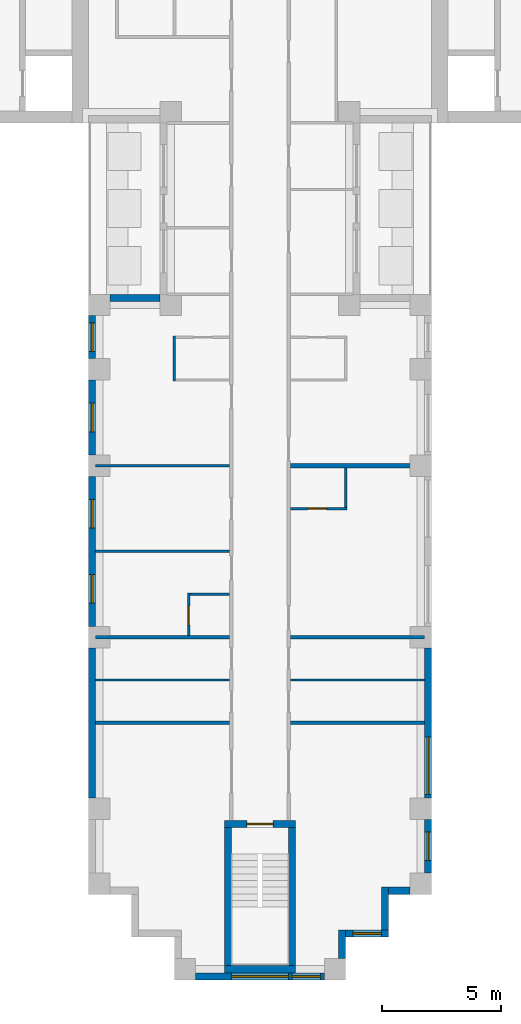
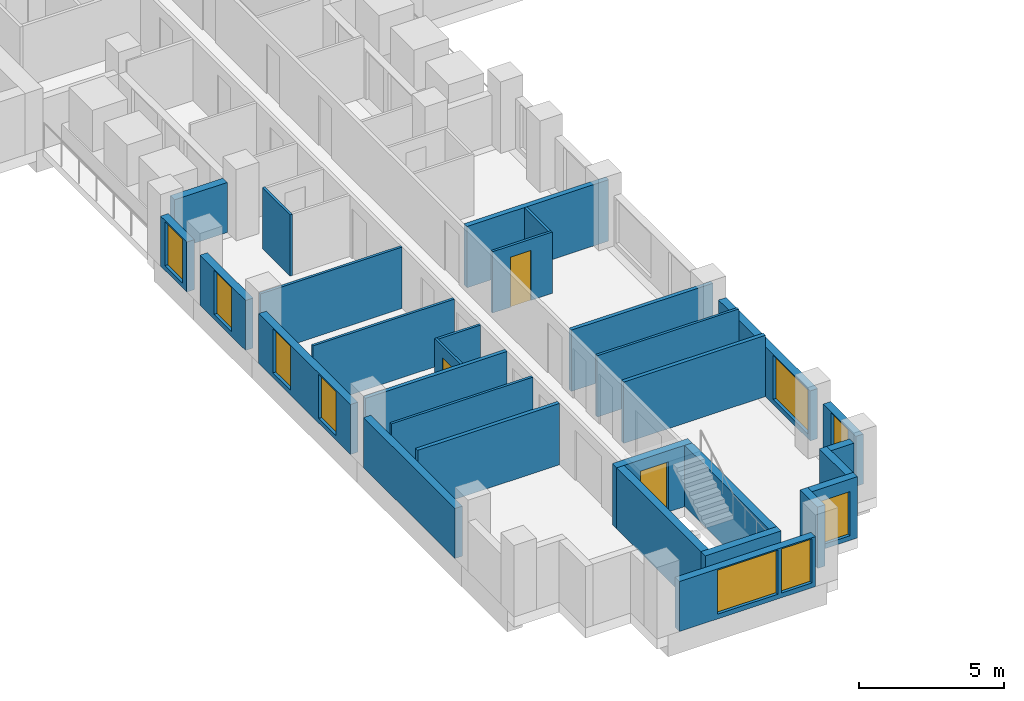
# One storey, part 3 of 15: 30 walls, 9 windows, 3 doors, 12 openings.
"""IFC4 building model written with IfcOpenShell, lengths in metres."""

from ifc_helpers import new_model, si_unit, direction, frame, frame_2d, origin, place, context, subcontext, project, spatial, rectangle, extrude, material, layer, layer_set, type_object, element, fill, save


model = new_model("IFC4")

# Units and contexts
model_context = context("Model", 3, precision=1e-05, world=origin(), true_north=direction((0.0, 1.0)))
body_context = subcontext(model_context, "Body", "Model", "MODEL_VIEW")
ifc_project = project(units=[si_unit("LENGTHUNIT", "METRE"), si_unit("AREAUNIT", "SQUARE_METRE"), si_unit("VOLUMEUNIT", "CUBIC_METRE"), si_unit("PLANEANGLEUNIT", "RADIAN"), si_unit("MASSUNIT", "GRAM", prefix="KILO")], contexts=[model_context])

# Site, building, storey
site_placement = place(None, origin())
site = spatial("IfcSite", under=ifc_project, at=site_placement, CompositionType="ELEMENT")
building_placement = place(site_placement, origin())
building = spatial("IfcBuilding", under=site, at=building_placement, Name="Fustian Cross Tower", CompositionType="ELEMENT")
storey_placement = place(building_placement, frame((0.0, 0.0, 38.699951171875)))
storey = spatial("IfcBuildingStorey", under=building, at=storey_placement, Name="L11", CompositionType="ELEMENT", Elevation=38.699951171875)

# Walls
ifc_material_1 = material(Name="Plasterboard on steel stud", Category="steel")
ifc_layer_1 = layer(ifc_material_1, 0.14990234375)
ifc_layer_set_1 = layer_set([ifc_layer_1], Name="Plasterboard on steel stud")
wall_type_1 = type_object("IfcWallType", Name="COMPARTMENT WALL 150 EI 60", PredefinedType="PARTITIONING", material=ifc_layer_set_1)
for number, where, z_axis, x_axis, name in (
    (1, (-6.89990234375, -32.39990234375, 0.0), (0.0, 0.0, 1.0), (1.0, 0.0, 0.0), "Partition 14"),
    (2, (-6.89990234375, -28.800048828125, 0.0), (0.0, 0.0, 1.0), (1.0, 0.0, 0.0), "Partition 16"),
    (3, (1.27490234375, -32.39990234375, 0.0), (0.0, 0.0, 1.0), (1.0, 0.0, 0.0), "Partition 41"),
    (4, (1.27490234375, -28.800048828125, 0.0), (0.0, 0.0, 1.0), (1.0, 0.0, 0.0), "Partition 43"),
):
    element("IfcWall", number, at=place(storey_placement, frame(where, z_axis=z_axis, x_axis=x_axis)), inside=storey, type_object=wall_type_1, Name=name, PredefinedType="PARTITIONING", context=body_context, shape_type="SweptSolid", body=[
        extrude(rectangle(XDim=5.625, YDim=0.14990234375, at=frame_2d((2.8125, 0.0))), origin(), (0.0, 0.0, 1.0), 2.574951171875),
    ])
ifc_material_2 = material(Name="Plasterboard on steel stud", Category="steel")
ifc_layer_2 = layer(ifc_material_2, 0.10009765625)
ifc_layer_set_2 = layer_set([ifc_layer_2], Name="Plasterboard on steel stud")
wall_type_2 = type_object("IfcWallType", Name="PARTITION 100 STUD", PredefinedType="PARTITIONING", material=ifc_layer_set_2)
for number, where, z_axis, x_axis, name in (
    (5, (-6.89990234375, -30.60009765625, 0.0), (0.0, 0.0, 1.0), (1.0, 0.0, 0.0), "Partition 15"),
    (6, (-6.89990234375, -25.199951171875, 0.0), (0.0, 0.0, 1.0), (1.0, 0.0, 0.0), "Partition 17"),
    (7, (-6.89990234375, -21.60009765625, 0.0), (0.0, 0.0, 1.0), (1.0, 0.0, 0.0), "Partition 18"),
):
    element("IfcWall", number, at=place(storey_placement, frame(where, z_axis=z_axis, x_axis=x_axis)), inside=storey, type_object=wall_type_2, Name=name, PredefinedType="PARTITIONING", context=body_context, shape_type="SweptSolid", body=[
        extrude(rectangle(XDim=5.625, YDim=0.10009765625, at=frame_2d((2.8125, 0.0))), origin(), (0.0, 0.0, 1.0), 2.574951171875),
    ])
wall_1_placement = place(storey_placement, frame((-3.60009765625, -18.050048828125, 0.0), z_axis=(0.0, 0.0, 1.0), x_axis=(0.0, 1.0, 0.0)))
element("IfcWall", 8, at=wall_1_placement, inside=storey, type_object=wall_type_2, Name="Partition 29", PredefinedType="PARTITIONING", context=body_context, shape_type="SweptSolid", body=[
    extrude(rectangle(XDim=1.900146484375, YDim=0.10009765625, at=frame_2d((0.9501953125, 0.0))), origin(), (0.0, 0.0, 1.0), 2.574951171875),
])

# Wall, opening, door
wall_2_placement = place(storey_placement, frame((-3.0, -28.72509765625, 0.0), z_axis=(0.0, 0.0, 1.0), x_axis=(0.0, 1.0, 0.0)))
wall_2 = element("IfcWall", 9, at=wall_2_placement, inside=storey, type_object=wall_type_2, Name="Partition 36", PredefinedType="PARTITIONING", context=body_context, shape_type="SweptSolid", body=[
    extrude(rectangle(XDim=1.775146484375, YDim=0.10009765625, at=frame_2d((0.8876953125, 0.0))), origin(), (0.0, 0.0, 1.0), 2.574951171875),
])
opening_1_placement = place(wall_2_placement, frame((0.425048828125, 0.0, 0.0)))
opening_1 = element("IfcOpeningElement", 10, at=opening_1_placement, cuts=wall_2, Name="Opening D07063", PredefinedType="OPENING", context=body_context, shape_type="SweptSolid", body=[
    extrude(rectangle(XDim=0.800048828125, YDim=2.10009765625, at=frame_2d((0.39990234375, 1.050048828125))), frame((0.0, 0.06005859375, 0.0), z_axis=(0.0, -1.0, 0.0), x_axis=(1.0, 0.0, 0.0)), (0.0, 0.0, 1.0), 0.1201171875),
])
ifc_material_3 = material(Name="Painted timber", Category="wood")
door_type_1 = type_object("IfcDoorType", Name="SWING DOOR 800", OperationType="SINGLE_SWING_LEFT", PredefinedType="DOOR", material=ifc_material_3)
door_1_placement = place(opening_1_placement, frame((0.800048828125, 0.0, 0.0), z_axis=(0.0, 0.0, 1.0), x_axis=(-1.0, 0.0, 0.0)))
door_1 = element("IfcDoor", 11, at=door_1_placement, inside=storey, type_object=door_type_1, Name="Door D07063", OperationType="SINGLE_SWING_LEFT", OverallHeight=2.10009765625, OverallWidth=0.800048828125, PredefinedType="DOOR", context=body_context, shape_type="SweptSolid", body=[
    extrude(rectangle(XDim=0.800048828125, YDim=2.10009765625, at=frame_2d((0.39990234375, 1.050048828125))), frame((0.0, 0.02490234375, 0.0), z_axis=(0.0, -1.0, 0.0), x_axis=(1.0, 0.0, 0.0)), (0.0, 0.0, 1.0), 0.050048828125),
])
fill(opening_1, door_1)

# Walls
wall_3_placement = place(storey_placement, frame((-2.949951171875, -27.0, 0.0), z_axis=(0.0, 0.0, 1.0), x_axis=(1.0, 0.0, 0.0)))
element("IfcWall", 12, at=wall_3_placement, inside=storey, type_object=wall_type_2, Name="Partition 37", PredefinedType="PARTITIONING", context=body_context, shape_type="SweptSolid", body=[
    extrude(rectangle(XDim=1.675048828125, YDim=0.10009765625, at=frame_2d((0.83740234375, 0.0))), origin(), (0.0, 0.0, 1.0), 2.574951171875),
])
wall_4_placement = place(storey_placement, frame((1.27490234375, -30.60009765625, 0.0), z_axis=(0.0, 0.0, 1.0), x_axis=(1.0, 0.0, 0.0)))
element("IfcWall", 13, at=wall_4_placement, inside=storey, type_object=wall_type_2, Name="Partition 42", PredefinedType="PARTITIONING", context=body_context, shape_type="SweptSolid", body=[
    extrude(rectangle(XDim=5.625, YDim=0.10009765625, at=frame_2d((2.8125, 0.0))), origin(), (0.0, 0.0, 1.0), 2.574951171875),
])

# Wall, opening, door
wall_5_placement = place(storey_placement, frame((1.27490234375, -23.39990234375, 0.0), z_axis=(0.0, 0.0, 1.0), x_axis=(1.0, 0.0, 0.0)))
wall_5 = element("IfcWall", 14, at=wall_5_placement, inside=storey, type_object=wall_type_2, Name="Partition 44", PredefinedType="PARTITIONING", context=body_context, shape_type="SweptSolid", body=[
    extrude(rectangle(XDim=2.375, YDim=0.10009765625, at=frame_2d((1.1875, 0.0))), origin(), (0.0, 0.0, 1.0), 2.574951171875),
])
opening_2_placement = place(wall_5_placement, frame((0.72509765625, 0.0, 0.0)))
opening_2 = element("IfcOpeningElement", 15, at=opening_2_placement, cuts=wall_5, Name="Opening D07053", PredefinedType="OPENING", context=body_context, shape_type="SweptSolid", body=[
    extrude(rectangle(XDim=0.800048828125, YDim=2.10009765625, at=frame_2d((0.39990234375, 1.050048828125))), frame((0.0, 0.06005859375, 0.0), z_axis=(0.0, -1.0, 0.0), x_axis=(1.0, 0.0, 0.0)), (0.0, 0.0, 1.0), 0.1201171875),
])
door_2_placement = place(opening_2_placement, origin())
door_2 = element("IfcDoor", 16, at=door_2_placement, inside=storey, type_object=door_type_1, Name="Door D07053", OperationType="SINGLE_SWING_LEFT", OverallHeight=2.10009765625, OverallWidth=0.800048828125, PredefinedType="DOOR", context=body_context, shape_type="SweptSolid", body=[
    extrude(rectangle(XDim=0.800048828125, YDim=2.10009765625, at=frame_2d((0.39990234375, 1.050048828125))), frame((0.0, 0.02490234375, 0.0), z_axis=(0.0, -1.0, 0.0), x_axis=(1.0, 0.0, 0.0)), (0.0, 0.0, 1.0), 0.050048828125),
])
fill(opening_2, door_2)

# Walls
wall_6_placement = place(storey_placement, frame((3.60009765625, -23.35009765625, 0.0), z_axis=(0.0, 0.0, 1.0), x_axis=(0.0, 1.0, 0.0)))
element("IfcWall", 17, at=wall_6_placement, inside=storey, type_object=wall_type_2, Name="Partition 71", PredefinedType="PARTITIONING", context=body_context, shape_type="SweptSolid", body=[
    extrude(rectangle(XDim=1.650146484375, YDim=0.10009765625, at=frame_2d((0.8251953125, 0.0))), origin(), (0.0, 0.0, 1.0), 2.574951171875),
])
ifc_material_4 = material(Name="Plasterboard on steel stud", Category="steel")
ifc_layer_3 = layer(ifc_material_4, 0.199951171875)
ifc_layer_set_3 = layer_set([ifc_layer_3], Name="Plasterboard on steel stud")
wall_type_3 = type_object("IfcWallType", Name="PARTY WALL 200 EI 60", PredefinedType="PARTITIONING", material=ifc_layer_set_3)
wall_7_placement = place(storey_placement, frame((1.27490234375, -21.60009765625, 0.0), z_axis=(0.0, 0.0, 1.0), x_axis=(1.0, 0.0, 0.0)))
element("IfcWall", 18, at=wall_7_placement, inside=storey, type_object=wall_type_3, Name="Partition 45", PredefinedType="PARTITIONING", context=body_context, shape_type="SweptSolid", body=[
    extrude(rectangle(XDim=5.625, YDim=0.199951171875, at=frame_2d((2.8125, 0.0))), origin(), (0.0, 0.0, 1.0), 2.574951171875),
])

# Wall, opening, door
ifc_material_5 = material(Name="Concrete C50/60", Category="concrete")
ifc_layer_4 = layer(ifc_material_5, 0.300048828125)
ifc_layer_set_4 = layer_set([ifc_layer_4], Name="Concrete C50/60")
wall_type_4 = type_object("IfcWallType", Name="STAIR ENCLOSURE WALL 300 C50/60", PredefinedType="SHEAR", material=ifc_layer_set_4)
wall_8_placement = place(storey_placement, frame((-1.5, -36.64990234375, 0.0), z_axis=(0.0, 0.0, 1.0), x_axis=(1.0, 0.0, 0.0)))
wall_8 = element("IfcWall", 19, at=wall_8_placement, inside=storey, type_object=wall_type_4, Name="Stair enclosure wall", PredefinedType="SHEAR", context=body_context, shape_type="SweptSolid", body=[
    extrude(rectangle(XDim=3.0, YDim=0.300048828125, at=frame_2d((1.5, 0.0))), origin(), (0.0, 0.0, 1.0), 2.574951171875),
])
opening_3_placement = place(wall_8_placement, frame((0.949951171875, 0.0, 0.0)))
opening_3 = element("IfcOpeningElement", 20, at=opening_3_placement, cuts=wall_8, Name="Opening CD-04-30", PredefinedType="OPENING", context=body_context, shape_type="SweptSolid", body=[
    extrude(rectangle(XDim=1.10009765625, YDim=2.10009765625, at=frame_2d((0.550048828125, 1.050048828125))), frame((0.0, 0.159912109375, 0.0), z_axis=(0.0, -1.0, 0.0), x_axis=(1.0, 0.0, 0.0)), (0.0, 0.0, 1.0), 0.320068359375),
])
ifc_material_6 = material(Name="Steel", Category="steel")
door_type_2 = type_object("IfcDoorType", Name="FIRE DOOR FD60S 1100X2100", OperationType="SINGLE_SWING_LEFT", PredefinedType="DOOR", material=ifc_material_6)
door_3_placement = place(opening_3_placement, frame((1.10009765625, 0.0, 0.0), z_axis=(0.0, 0.0, 1.0), x_axis=(-1.0, 0.0, 0.0)))
door_3 = element("IfcDoor", 21, at=door_3_placement, inside=storey, type_object=door_type_2, Name="Core door CD-04-30", OperationType="SINGLE_SWING_RIGHT", OverallHeight=2.10009765625, OverallWidth=1.10009765625, PredefinedType="DOOR", context=body_context, shape_type="SweptSolid", body=[
    extrude(rectangle(XDim=1.10009765625, YDim=2.10009765625, at=frame_2d((0.550048828125, 1.050048828125))), frame((0.0, 0.02490234375, 0.0), z_axis=(0.0, -1.0, 0.0), x_axis=(1.0, 0.0, 0.0)), (0.0, 0.0, 1.0), 0.050048828125),
])
fill(opening_3, door_3)

# Walls
wall_9_placement = place(storey_placement, frame((-1.5, -42.75, 0.0), z_axis=(0.0, 0.0, 1.0), x_axis=(1.0, 0.0, 0.0)))
element("IfcWall", 22, at=wall_9_placement, inside=storey, type_object=wall_type_4, Name="Stair enclosure wall", PredefinedType="SHEAR", context=body_context, shape_type="SweptSolid", body=[
    extrude(rectangle(XDim=3.0, YDim=0.300048828125, at=frame_2d((1.5, 0.0))), origin(), (0.0, 0.0, 1.0), 2.574951171875),
])
for number, where, z_axis, x_axis, name in (
    (23, (-1.35009765625, -36.800048828125, 0.0), (0.0, 0.0, 1.0), (0.0, -1.0, 0.0), "Stair enclosure wall"),
    (24, (1.35009765625, -36.800048828125, 0.0), (0.0, 0.0, 1.0), (0.0, -1.0, 0.0), "Stair enclosure wall"),
):
    element("IfcWall", number, at=place(storey_placement, frame(where, z_axis=z_axis, x_axis=x_axis)), inside=storey, type_object=wall_type_4, Name=name, PredefinedType="SHEAR", context=body_context, shape_type="SweptSolid", body=[
        extrude(rectangle(XDim=5.800048828125, YDim=0.300048828125, at=frame_2d((2.89990234375, 0.0))), origin(), (0.0, 0.0, 1.0), 2.574951171875),
    ])
ifc_material_7 = material(Name="Dark aluminium cladding on insulated backing wall", Category="aluminium")
ifc_layer_5 = layer(ifc_material_7, 0.300048828125)
ifc_layer_set_5 = layer_set([ifc_layer_5], Name="Dark aluminium cladding on insulated backing wall")
wall_type_5 = type_object("IfcWallType", Name="XW1 EXTERNAL WALL 300", PredefinedType="SOLIDWALL", material=ifc_layer_set_5)
wall_10_placement = place(storey_placement, frame((-4.199951171875, -14.550048828125, 0.0), z_axis=(0.0, 0.0, 1.0), x_axis=(-1.0, 0.0, 0.0)))
element("IfcWall", 25, at=wall_10_placement, inside=storey, type_object=wall_type_5, Name="External wall", PredefinedType="SOLIDWALL", context=body_context, shape_type="SweptSolid", body=[
    extrude(rectangle(XDim=2.10009765625, YDim=0.300048828125, at=frame_2d((1.050048828125, 0.0))), origin(), (0.0, 0.0, 1.0), 2.10009765625),
])

# Wall, opening, window
wall_11_placement = place(storey_placement, frame((-7.050048828125, -15.300048828125, 0.0), z_axis=(0.0, 0.0, 1.0), x_axis=(0.0, -1.0, 0.0)))
wall_11 = element("IfcWall", 26, at=wall_11_placement, inside=storey, type_object=wall_type_5, Name="External wall", PredefinedType="SOLIDWALL", context=body_context, shape_type="SweptSolid", body=[
    extrude(rectangle(XDim=1.800048828125, YDim=0.300048828125, at=frame_2d((0.89990234375, 0.0))), origin(), (0.0, 0.0, 1.0), 2.10009765625),
])
opening_4_placement = place(wall_11_placement, frame((0.300048828125, 0.0, 0.199951171875)))
opening_4 = element("IfcOpeningElement", 27, at=opening_4_placement, cuts=wall_11, Name="Opening WN3", PredefinedType="OPENING", context=body_context, shape_type="SweptSolid", body=[
    extrude(rectangle(XDim=1.199951171875, YDim=1.85009765625, at=frame_2d((0.60009765625, 0.925048828125))), frame((0.0, 0.159912109375, 0.0), z_axis=(0.0, -1.0, 0.0), x_axis=(1.0, 0.0, 0.0)), (0.0, 0.0, 1.0), 0.320068359375),
])
ifc_material_8 = material(Name="Dark anodised aluminium and double glazing", Category="aluminium")
window_type_1 = type_object("IfcWindowType", Name="WN3 WINDOW 1200X1850", PartitioningType="SINGLE_PANEL", PredefinedType="WINDOW", material=ifc_material_8)
window_1_placement = place(opening_4_placement, origin())
window_1 = element("IfcWindow", 28, at=window_1_placement, inside=storey, type_object=window_type_1, Name="Window", OverallHeight=1.85009765625, OverallWidth=1.199951171875, PartitioningType="SINGLE_PANEL", PredefinedType="WINDOW", context=body_context, shape_type="SweptSolid", body=[
    extrude(rectangle(XDim=1.199951171875, YDim=1.85009765625, at=frame_2d((0.60009765625, 0.925048828125))), frame((0.0, 0.030029296875, 0.0), z_axis=(0.0, -1.0, 0.0), x_axis=(1.0, 0.0, 0.0)), (0.0, 0.0, 1.0), 0.06005859375),
])
fill(opening_4, window_1)

wall_12_placement = place(storey_placement, frame((-7.050048828125, -18.0, 0.0), z_axis=(0.0, 0.0, 1.0), x_axis=(0.0, -1.0, 0.0)))
wall_12 = element("IfcWall", 29, at=wall_12_placement, inside=storey, type_object=wall_type_5, Name="External wall", PredefinedType="SOLIDWALL", context=body_context, shape_type="SweptSolid", body=[
    extrude(rectangle(XDim=3.14990234375, YDim=0.300048828125, at=frame_2d((1.574951171875, 0.0))), origin(), (0.0, 0.0, 1.0), 2.10009765625),
])
opening_5_placement = place(wall_12_placement, frame((0.97509765625, 0.0, 0.199951171875)))
opening_5 = element("IfcOpeningElement", 30, at=opening_5_placement, cuts=wall_12, Name="Opening WN3", PredefinedType="OPENING", context=body_context, shape_type="SweptSolid", body=[
    extrude(rectangle(XDim=1.199951171875, YDim=1.85009765625, at=frame_2d((0.60009765625, 0.925048828125))), frame((0.0, 0.159912109375, 0.0), z_axis=(0.0, -1.0, 0.0), x_axis=(1.0, 0.0, 0.0)), (0.0, 0.0, 1.0), 0.320068359375),
])
window_2_placement = place(opening_5_placement, origin())
window_2 = element("IfcWindow", 31, at=window_2_placement, inside=storey, type_object=window_type_1, Name="Window", OverallHeight=1.85009765625, OverallWidth=1.199951171875, PartitioningType="SINGLE_PANEL", PredefinedType="WINDOW", context=body_context, shape_type="SweptSolid", body=[
    extrude(rectangle(XDim=1.199951171875, YDim=1.85009765625, at=frame_2d((0.60009765625, 0.925048828125))), frame((0.0, 0.030029296875, 0.0), z_axis=(0.0, -1.0, 0.0), x_axis=(1.0, 0.0, 0.0)), (0.0, 0.0, 1.0), 0.06005859375),
])
fill(opening_5, window_2)

# Wall, openings, windows
wall_13_placement = place(storey_placement, frame((-7.050048828125, -22.050048828125, 0.0), z_axis=(0.0, 0.0, 1.0), x_axis=(0.0, -1.0, 0.0)))
wall_13 = element("IfcWall", 32, at=wall_13_placement, inside=storey, type_object=wall_type_5, Name="External wall", PredefinedType="SOLIDWALL", context=body_context, shape_type="SweptSolid", body=[
    extrude(rectangle(XDim=6.300048828125, YDim=0.300048828125, at=frame_2d((3.14990234375, 0.0))), origin(), (0.0, 0.0, 1.0), 2.10009765625),
])
opening_6_placement = place(wall_13_placement, frame((0.97509765625, 0.0, 0.199951171875)))
opening_6 = element("IfcOpeningElement", 33, at=opening_6_placement, cuts=wall_13, Name="Opening WN3", PredefinedType="OPENING", context=body_context, shape_type="SweptSolid", body=[
    extrude(rectangle(XDim=1.199951171875, YDim=1.85009765625, at=frame_2d((0.60009765625, 0.925048828125))), frame((0.0, 0.159912109375, 0.0), z_axis=(0.0, -1.0, 0.0), x_axis=(1.0, 0.0, 0.0)), (0.0, 0.0, 1.0), 0.320068359375),
])
opening_7_placement = place(wall_13_placement, frame((4.125, 0.0, 0.199951171875)))
opening_7 = element("IfcOpeningElement", 34, at=opening_7_placement, cuts=wall_13, Name="Opening WN3", PredefinedType="OPENING", context=body_context, shape_type="SweptSolid", body=[
    extrude(rectangle(XDim=1.199951171875, YDim=1.85009765625, at=frame_2d((0.60009765625, 0.925048828125))), frame((0.0, 0.159912109375, 0.0), z_axis=(0.0, -1.0, 0.0), x_axis=(1.0, 0.0, 0.0)), (0.0, 0.0, 1.0), 0.320068359375),
])
window_3_placement = place(opening_6_placement, origin())
window_3 = element("IfcWindow", 35, at=window_3_placement, inside=storey, type_object=window_type_1, Name="Window", OverallHeight=1.85009765625, OverallWidth=1.199951171875, PartitioningType="SINGLE_PANEL", PredefinedType="WINDOW", context=body_context, shape_type="SweptSolid", body=[
    extrude(rectangle(XDim=1.199951171875, YDim=1.85009765625, at=frame_2d((0.60009765625, 0.925048828125))), frame((0.0, 0.030029296875, 0.0), z_axis=(0.0, -1.0, 0.0), x_axis=(1.0, 0.0, 0.0)), (0.0, 0.0, 1.0), 0.06005859375),
])
fill(opening_6, window_3)
window_4_placement = place(opening_7_placement, origin())
window_4 = element("IfcWindow", 36, at=window_4_placement, inside=storey, type_object=window_type_1, Name="Window", OverallHeight=1.85009765625, OverallWidth=1.199951171875, PartitioningType="SINGLE_PANEL", PredefinedType="WINDOW", context=body_context, shape_type="SweptSolid", body=[
    extrude(rectangle(XDim=1.199951171875, YDim=1.85009765625, at=frame_2d((0.60009765625, 0.925048828125))), frame((0.0, 0.030029296875, 0.0), z_axis=(0.0, -1.0, 0.0), x_axis=(1.0, 0.0, 0.0)), (0.0, 0.0, 1.0), 0.06005859375),
])
fill(opening_7, window_4)

# Wall
wall_14_placement = place(storey_placement, frame((-7.050048828125, -29.25, 0.0), z_axis=(0.0, 0.0, 1.0), x_axis=(0.0, -1.0, 0.0)))
element("IfcWall", 37, at=wall_14_placement, inside=storey, type_object=wall_type_5, Name="External wall", PredefinedType="SOLIDWALL", context=body_context, shape_type="SweptSolid", body=[
    extrude(rectangle(XDim=6.300048828125, YDim=0.300048828125, at=frame_2d((3.14990234375, 0.0))), origin(), (0.0, 0.0, 1.0), 2.10009765625),
])

# Wall, openings, windows
wall_15_placement = place(storey_placement, frame((-2.699951171875, -43.050048828125, 0.0), z_axis=(0.0, 0.0, 1.0), x_axis=(1.0, 0.0, 0.0)))
wall_15 = element("IfcWall", 38, at=wall_15_placement, inside=storey, type_object=wall_type_5, Name="External wall", PredefinedType="SOLIDWALL", context=body_context, shape_type="SweptSolid", body=[
    extrude(rectangle(XDim=5.39990234375, YDim=0.300048828125, at=frame_2d((2.699951171875, 0.0))), origin(), (0.0, 0.0, 1.0), 2.10009765625),
])
opening_8_placement = place(wall_15_placement, frame((1.5, 0.0, 0.199951171875)))
opening_8 = element("IfcOpeningElement", 39, at=opening_8_placement, cuts=wall_15, Name="Opening WN1", PredefinedType="OPENING", context=body_context, shape_type="SweptSolid", body=[
    extrude(rectangle(XDim=2.39990234375, YDim=1.85009765625, at=frame_2d((1.199951171875, 0.925048828125))), frame((0.0, 0.159912109375, 0.0), z_axis=(0.0, -1.0, 0.0), x_axis=(1.0, 0.0, 0.0)), (0.0, 0.0, 1.0), 0.320068359375),
])
opening_9_placement = place(wall_15_placement, frame((4.050048828125, 0.0, 0.199951171875)))
opening_9 = element("IfcOpeningElement", 40, at=opening_9_placement, cuts=wall_15, Name="Opening WN3", PredefinedType="OPENING", context=body_context, shape_type="SweptSolid", body=[
    extrude(rectangle(XDim=1.199951171875, YDim=1.85009765625, at=frame_2d((0.60009765625, 0.925048828125))), frame((0.0, 0.159912109375, 0.0), z_axis=(0.0, -1.0, 0.0), x_axis=(1.0, 0.0, 0.0)), (0.0, 0.0, 1.0), 0.320068359375),
])
ifc_material_9 = material(Name="Dark anodised aluminium and double glazing", Category="aluminium")
window_type_2 = type_object("IfcWindowType", Name="WN1 WINDOW 2400X1850", PartitioningType="SINGLE_PANEL", PredefinedType="WINDOW", material=ifc_material_9)
window_5_placement = place(opening_8_placement, origin())
window_5 = element("IfcWindow", 41, at=window_5_placement, inside=storey, type_object=window_type_2, Name="Window", OverallHeight=1.85009765625, OverallWidth=2.39990234375, PartitioningType="SINGLE_PANEL", PredefinedType="WINDOW", context=body_context, shape_type="SweptSolid", body=[
    extrude(rectangle(XDim=2.39990234375, YDim=1.85009765625, at=frame_2d((1.199951171875, 0.925048828125))), frame((0.0, 0.030029296875, 0.0), z_axis=(0.0, -1.0, 0.0), x_axis=(1.0, 0.0, 0.0)), (0.0, 0.0, 1.0), 0.06005859375),
])
fill(opening_8, window_5)
window_6_placement = place(opening_9_placement, origin())
window_6 = element("IfcWindow", 42, at=window_6_placement, inside=storey, type_object=window_type_1, Name="Window", OverallHeight=1.85009765625, OverallWidth=1.199951171875, PartitioningType="SINGLE_PANEL", PredefinedType="WINDOW", context=body_context, shape_type="SweptSolid", body=[
    extrude(rectangle(XDim=1.199951171875, YDim=1.85009765625, at=frame_2d((0.60009765625, 0.925048828125))), frame((0.0, 0.030029296875, 0.0), z_axis=(0.0, -1.0, 0.0), x_axis=(1.0, 0.0, 0.0)), (0.0, 0.0, 1.0), 0.06005859375),
])
fill(opening_9, window_6)

# Wall
wall_16_placement = place(storey_placement, frame((3.449951171875, -42.300048828125, 0.0), z_axis=(0.0, 0.0, 1.0), x_axis=(0.0, 1.0, 0.0)))
element("IfcWall", 43, at=wall_16_placement, inside=storey, type_object=wall_type_5, Name="External wall", PredefinedType="SOLIDWALL", context=body_context, shape_type="SweptSolid", body=[
    extrude(rectangle(XDim=1.199951171875, YDim=0.300048828125, at=frame_2d((0.60009765625, 0.0))), origin(), (0.0, 0.0, 1.0), 2.574951171875),
])

# Wall, opening, window
wall_17_placement = place(storey_placement, frame((3.60009765625, -41.25, 0.0), z_axis=(0.0, 0.0, 1.0), x_axis=(1.0, 0.0, 0.0)))
wall_17 = element("IfcWall", 44, at=wall_17_placement, inside=storey, type_object=wall_type_5, Name="External wall", PredefinedType="SOLIDWALL", context=body_context, shape_type="SweptSolid", body=[
    extrude(rectangle(XDim=1.7998046875, YDim=0.300048828125, at=frame_2d((0.89990234375, 0.0))), origin(), (0.0, 0.0, 1.0), 2.574951171875),
])
opening_10_placement = place(wall_17_placement, frame((0.300048828125, 0.0, 0.199951171875)))
opening_10 = element("IfcOpeningElement", 45, at=opening_10_placement, cuts=wall_17, Name="Opening WN3", PredefinedType="OPENING", context=body_context, shape_type="SweptSolid", body=[
    extrude(rectangle(XDim=1.199951171875, YDim=1.85009765625, at=frame_2d((0.60009765625, 0.925048828125))), frame((0.0, 0.159912109375, 0.0), z_axis=(0.0, -1.0, 0.0), x_axis=(1.0, 0.0, 0.0)), (0.0, 0.0, 1.0), 0.320068359375),
])
window_7_placement = place(opening_10_placement, origin())
window_7 = element("IfcWindow", 46, at=window_7_placement, inside=storey, type_object=window_type_1, Name="Window", OverallHeight=1.85009765625, OverallWidth=1.199951171875, PartitioningType="SINGLE_PANEL", PredefinedType="WINDOW", context=body_context, shape_type="SweptSolid", body=[
    extrude(rectangle(XDim=1.199951171875, YDim=1.85009765625, at=frame_2d((0.60009765625, 0.925048828125))), frame((0.0, 0.030029296875, 0.0), z_axis=(0.0, -1.0, 0.0), x_axis=(1.0, 0.0, 0.0)), (0.0, 0.0, 1.0), 0.06005859375),
])
fill(opening_10, window_7)

# Walls
wall_18_placement = place(storey_placement, frame((5.25, -41.10009765625, 0.0), z_axis=(0.0, 0.0, 1.0), x_axis=(0.0, 1.0, 0.0)))
element("IfcWall", 47, at=wall_18_placement, inside=storey, type_object=wall_type_5, Name="External wall", PredefinedType="SOLIDWALL", context=body_context, shape_type="SweptSolid", body=[
    extrude(rectangle(XDim=1.800048828125, YDim=0.300048828125, at=frame_2d((0.89990234375, 0.0))), origin(), (0.0, 0.0, 1.0), 2.574951171875),
])
wall_19_placement = place(storey_placement, frame((5.39990234375, -39.449951171875, 0.0), z_axis=(0.0, 0.0, 1.0), x_axis=(1.0, 0.0, 0.0)))
element("IfcWall", 48, at=wall_19_placement, inside=storey, type_object=wall_type_5, Name="External wall", PredefinedType="SOLIDWALL", context=body_context, shape_type="SweptSolid", body=[
    extrude(rectangle(XDim=0.900146484375, YDim=0.300048828125, at=frame_2d((0.4501953125, 0.0))), origin(), (0.0, 0.0, 1.0), 2.574951171875),
])

# Wall, opening, window
wall_20_placement = place(storey_placement, frame((7.050048828125, -38.699951171875, 0.0), z_axis=(0.0, 0.0, 1.0), x_axis=(0.0, 1.0, 0.0)))
wall_20 = element("IfcWall", 49, at=wall_20_placement, inside=storey, type_object=wall_type_5, Name="External wall", PredefinedType="SOLIDWALL", context=body_context, shape_type="SweptSolid", body=[
    extrude(rectangle(XDim=2.25, YDim=0.300048828125, at=frame_2d((1.125, 0.0))), origin(), (0.0, 0.0, 1.0), 2.10009765625),
])
opening_11_placement = place(wall_20_placement, frame((0.52490234375, 0.0, 0.199951171875)))
opening_11 = element("IfcOpeningElement", 50, at=opening_11_placement, cuts=wall_20, Name="Opening WN3", PredefinedType="OPENING", context=body_context, shape_type="SweptSolid", body=[
    extrude(rectangle(XDim=1.199951171875, YDim=1.85009765625, at=frame_2d((0.60009765625, 0.925048828125))), frame((0.0, 0.159912109375, 0.0), z_axis=(0.0, -1.0, 0.0), x_axis=(1.0, 0.0, 0.0)), (0.0, 0.0, 1.0), 0.320068359375),
])
window_8_placement = place(opening_11_placement, origin())
window_8 = element("IfcWindow", 51, at=window_8_placement, inside=storey, type_object=window_type_1, Name="Window", OverallHeight=1.85009765625, OverallWidth=1.199951171875, PartitioningType="SINGLE_PANEL", PredefinedType="WINDOW", context=body_context, shape_type="SweptSolid", body=[
    extrude(rectangle(XDim=1.199951171875, YDim=1.85009765625, at=frame_2d((0.60009765625, 0.925048828125))), frame((0.0, 0.030029296875, 0.0), z_axis=(0.0, -1.0, 0.0), x_axis=(1.0, 0.0, 0.0)), (0.0, 0.0, 1.0), 0.06005859375),
])
fill(opening_11, window_8)

wall_21_placement = place(storey_placement, frame((7.050048828125, -35.550048828125, 0.0), z_axis=(0.0, 0.0, 1.0), x_axis=(0.0, 1.0, 0.0)))
wall_21 = element("IfcWall", 52, at=wall_21_placement, inside=storey, type_object=wall_type_5, Name="External wall", PredefinedType="SOLIDWALL", context=body_context, shape_type="SweptSolid", body=[
    extrude(rectangle(XDim=6.300048828125, YDim=0.300048828125, at=frame_2d((3.14990234375, 0.0))), origin(), (0.0, 0.0, 1.0), 2.10009765625),
])
opening_12_placement = place(wall_21_placement, frame((0.14990234375, 0.0, 0.199951171875)))
opening_12 = element("IfcOpeningElement", 53, at=opening_12_placement, cuts=wall_21, Name="Opening WN1", PredefinedType="OPENING", context=body_context, shape_type="SweptSolid", body=[
    extrude(rectangle(XDim=2.39990234375, YDim=1.85009765625, at=frame_2d((1.199951171875, 0.925048828125))), frame((0.0, 0.159912109375, 0.0), z_axis=(0.0, -1.0, 0.0), x_axis=(1.0, 0.0, 0.0)), (0.0, 0.0, 1.0), 0.320068359375),
])
window_9_placement = place(opening_12_placement, origin())
window_9 = element("IfcWindow", 54, at=window_9_placement, inside=storey, type_object=window_type_2, Name="Window", OverallHeight=1.85009765625, OverallWidth=2.39990234375, PartitioningType="SINGLE_PANEL", PredefinedType="WINDOW", context=body_context, shape_type="SweptSolid", body=[
    extrude(rectangle(XDim=2.39990234375, YDim=1.85009765625, at=frame_2d((1.199951171875, 0.925048828125))), frame((0.0, 0.030029296875, 0.0), z_axis=(0.0, -1.0, 0.0), x_axis=(1.0, 0.0, 0.0)), (0.0, 0.0, 1.0), 0.06005859375),
])
fill(opening_12, window_9)

save(model, "model.ifc")
